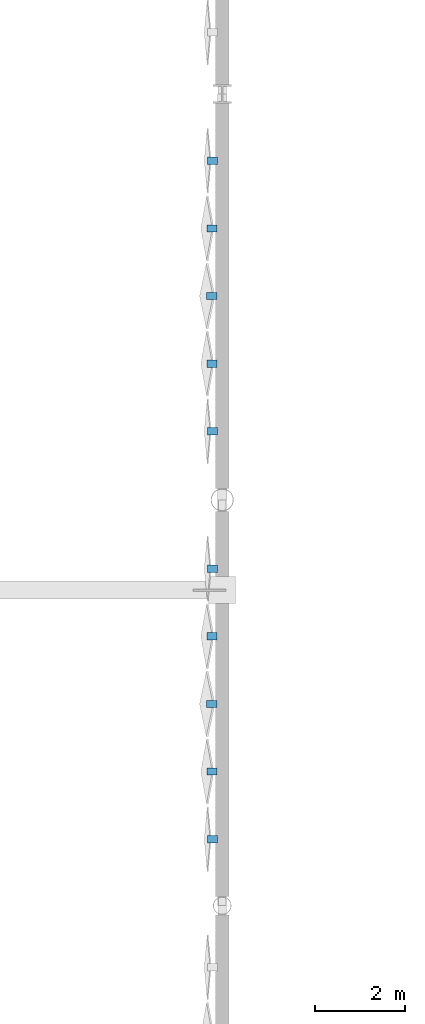
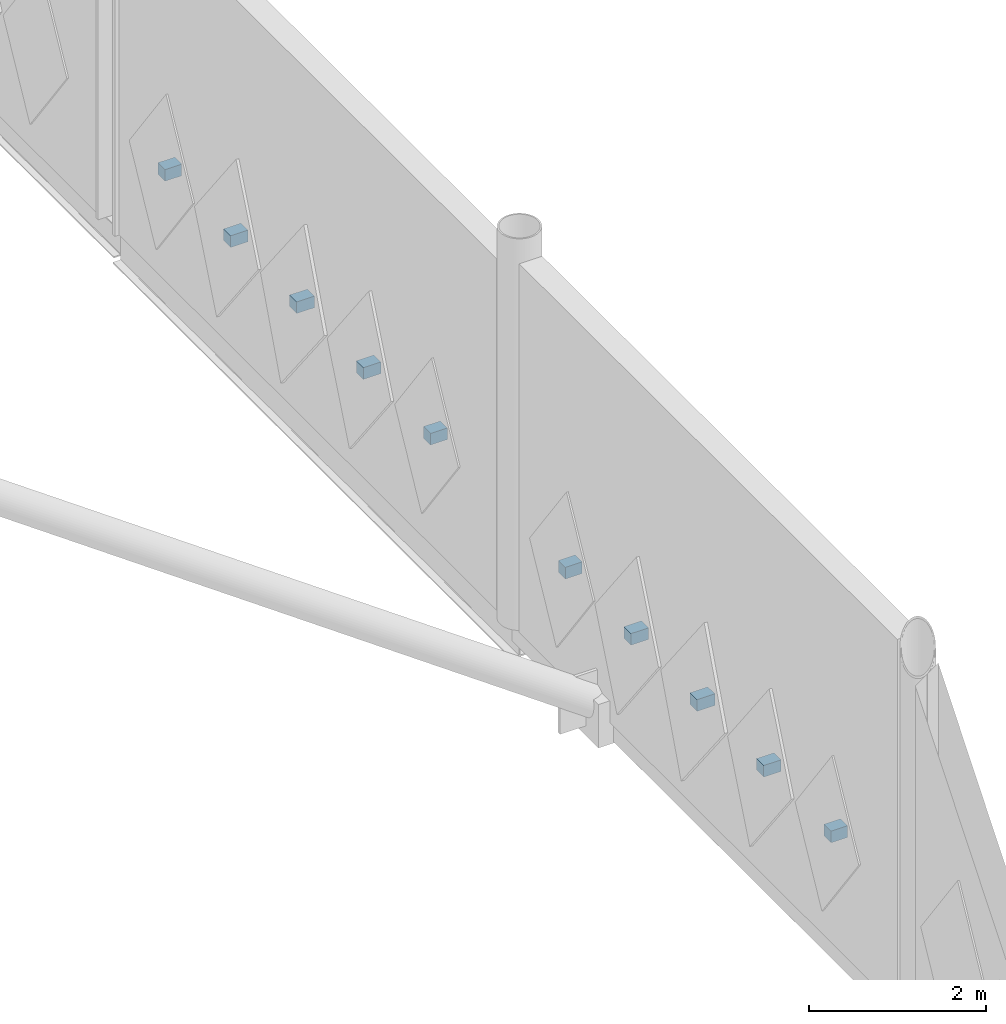
# One storey, part 101 of 119: 10 discrete accessories.
"""IFC4 building model written with IfcOpenShell, lengths in metres."""

from ifc_helpers import new_model, si_unit, direction, frame, origin, origin_2d, place, context, subcontext, project, spatial, rectangle, extrude, material, type_object, element, save


model = new_model("IFC4")

# Units and contexts
model_context = context("Model", 3, precision=1e-05, world=origin(), true_north=direction((0.0, 1.0)))
body_context = subcontext(model_context, "Body", "Model", "MODEL_VIEW")
ifc_project = project(units=[si_unit("LENGTHUNIT", "METRE"), si_unit("AREAUNIT", "SQUARE_METRE"), si_unit("VOLUMEUNIT", "CUBIC_METRE"), si_unit("PLANEANGLEUNIT", "RADIAN"), si_unit("MASSUNIT", "GRAM", prefix="KILO")], contexts=[model_context])

# Site, building, storey
site_placement = place(None, origin())
site = spatial("IfcSite", under=ifc_project, at=site_placement, CompositionType="ELEMENT")
building_placement = place(site_placement, origin())
building = spatial("IfcBuilding", under=site, at=building_placement, Name="Qamarlyn Nura Convention Centre", CompositionType="ELEMENT")
storey_placement = place(building_placement, frame((0.0, 0.0, 5.39990234375)))
storey = spatial("IfcBuildingStorey", under=building, at=storey_placement, Name="L01", CompositionType="ELEMENT", Elevation=5.39990234375)

# Discrete accessories
ifc_material = material(Name="Marine Grade 316 stainless steel", Category="steel")
discrete_accessory_type = type_object("IfcDiscreteAccessoryType", Name="ACC-TILE-BRK", PredefinedType="BRACKET", material=ifc_material)
discrete_accessory_1_placement = place(storey_placement, frame((-0.218994140625, 46.474609375, 1.6201171875), z_axis=(0.0, 0.0, 1.0), x_axis=(-1.0, 0.0, 0.0)))
element("IfcDiscreteAccessory", 1, at=discrete_accessory_1_placement, inside=storey, type_object=discrete_accessory_type, Name="L01 diamond tile pivot bracket 0064", PredefinedType="BRACKET", context=body_context, shape_type="SweptSolid", body=[
    extrude(rectangle(XDim=0.218017578125, YDim=0.159912109375, at=origin_2d()), origin(), (0.0, 0.0, 1.0), 0.159912109375),
])
discrete_accessory_2_placement = place(storey_placement, frame((-0.224365234375, 47.974609375, 1.6201171875), z_axis=(0.0, 0.0, 1.0), x_axis=(-1.0, 0.0, 0.0)))
element("IfcDiscreteAccessory", 2, at=discrete_accessory_2_placement, inside=storey, type_object=discrete_accessory_type, Name="L01 diamond tile pivot bracket 0065", PredefinedType="BRACKET", context=body_context, shape_type="SweptSolid", body=[
    extrude(rectangle(XDim=0.228515625, YDim=0.159912109375, at=origin_2d()), origin(), (0.0, 0.0, 1.0), 0.159912109375),
])
discrete_accessory_3_placement = place(storey_placement, frame((-0.2265625, 49.474609375, 1.6201171875), z_axis=(0.0, 0.0, 1.0), x_axis=(-1.0, 0.0, 0.0)))
element("IfcDiscreteAccessory", 3, at=discrete_accessory_3_placement, inside=storey, type_object=discrete_accessory_type, Name="L01 diamond tile pivot bracket 0066", PredefinedType="BRACKET", context=body_context, shape_type="SweptSolid", body=[
    extrude(rectangle(XDim=0.23291015625, YDim=0.159912109375, at=origin_2d()), origin(), (0.0, 0.0, 1.0), 0.159912109375),
])
discrete_accessory_4_placement = place(storey_placement, frame((-0.224365234375, 50.974609375, 1.6201171875), z_axis=(0.0, 0.0, 1.0), x_axis=(-1.0, 0.0, 0.0)))
element("IfcDiscreteAccessory", 4, at=discrete_accessory_4_placement, inside=storey, type_object=discrete_accessory_type, Name="L01 diamond tile pivot bracket 0067", PredefinedType="BRACKET", context=body_context, shape_type="SweptSolid", body=[
    extrude(rectangle(XDim=0.228515625, YDim=0.159912109375, at=origin_2d()), origin(), (0.0, 0.0, 1.0), 0.159912109375),
])
for number, where, z_axis, x_axis, name in (
    (5, (-0.218994140625, 52.474609375, 1.6201171875), (0.0, 0.0, 1.0), (-1.0, 0.0, 0.0), "L01 diamond tile pivot bracket 0068"),
    (6, (-0.218994140625, 55.520751953125, 1.6201171875), (0.0, 0.0, 1.0), (-1.0, 0.0, 0.0), "L01 diamond tile pivot bracket 0069"),
):
    element("IfcDiscreteAccessory", number, at=place(storey_placement, frame(where, z_axis=z_axis, x_axis=x_axis)), inside=storey, type_object=discrete_accessory_type, Name=name, PredefinedType="BRACKET", context=body_context, shape_type="SweptSolid", body=[
        extrude(rectangle(XDim=0.218017578125, YDim=0.159912109375, at=origin_2d()), origin(), (0.0, 0.0, 1.0), 0.159912109375),
    ])
discrete_accessory_5_placement = place(storey_placement, frame((-0.224365234375, 57.020751953125, 1.6201171875), z_axis=(0.0, 0.0, 1.0), x_axis=(-1.0, 0.0, 0.0)))
element("IfcDiscreteAccessory", 7, at=discrete_accessory_5_placement, inside=storey, type_object=discrete_accessory_type, Name="L01 diamond tile pivot bracket 0070", PredefinedType="BRACKET", context=body_context, shape_type="SweptSolid", body=[
    extrude(rectangle(XDim=0.228515625, YDim=0.159912109375, at=origin_2d()), origin(), (0.0, 0.0, 1.0), 0.159912109375),
])
discrete_accessory_6_placement = place(storey_placement, frame((-0.2265625, 58.520751953125, 1.6201171875), z_axis=(0.0, 0.0, 1.0), x_axis=(-1.0, 0.0, 0.0)))
element("IfcDiscreteAccessory", 8, at=discrete_accessory_6_placement, inside=storey, type_object=discrete_accessory_type, Name="L01 diamond tile pivot bracket 0071", PredefinedType="BRACKET", context=body_context, shape_type="SweptSolid", body=[
    extrude(rectangle(XDim=0.23291015625, YDim=0.159912109375, at=origin_2d()), origin(), (0.0, 0.0, 1.0), 0.159912109375),
])
discrete_accessory_7_placement = place(storey_placement, frame((-0.224365234375, 60.020751953125, 1.6201171875), z_axis=(0.0, 0.0, 1.0), x_axis=(-1.0, 0.0, 0.0)))
element("IfcDiscreteAccessory", 9, at=discrete_accessory_7_placement, inside=storey, type_object=discrete_accessory_type, Name="L01 diamond tile pivot bracket 0072", PredefinedType="BRACKET", context=body_context, shape_type="SweptSolid", body=[
    extrude(rectangle(XDim=0.228515625, YDim=0.159912109375, at=origin_2d()), origin(), (0.0, 0.0, 1.0), 0.159912109375),
])
discrete_accessory_8_placement = place(storey_placement, frame((-0.218994140625, 61.520751953125, 1.6201171875), z_axis=(0.0, 0.0, 1.0), x_axis=(-1.0, 0.0, 0.0)))
element("IfcDiscreteAccessory", 10, at=discrete_accessory_8_placement, inside=storey, type_object=discrete_accessory_type, Name="L01 diamond tile pivot bracket 0073", PredefinedType="BRACKET", context=body_context, shape_type="SweptSolid", body=[
    extrude(rectangle(XDim=0.218017578125, YDim=0.159912109375, at=origin_2d()), origin(), (0.0, 0.0, 1.0), 0.159912109375),
])

save(model, "model.ifc")
